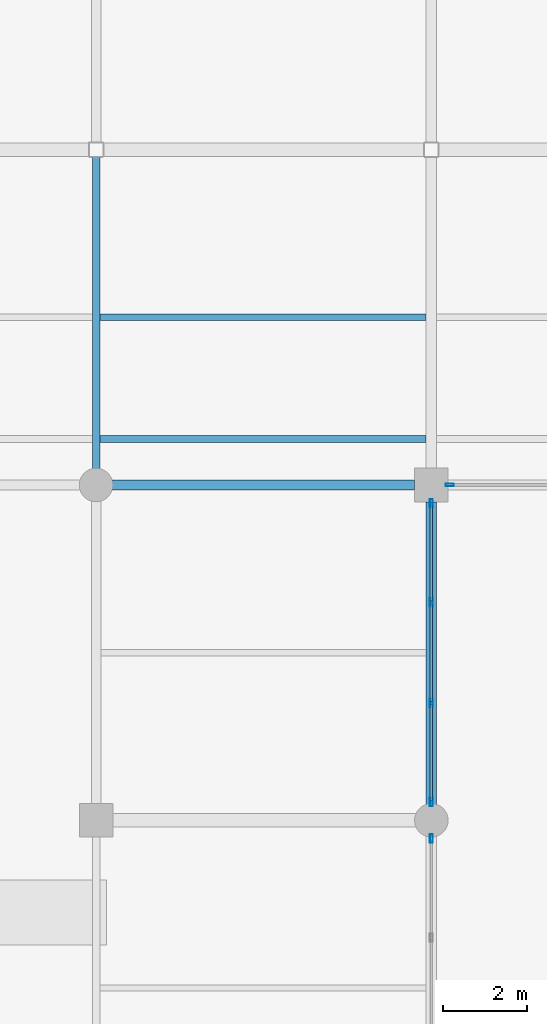
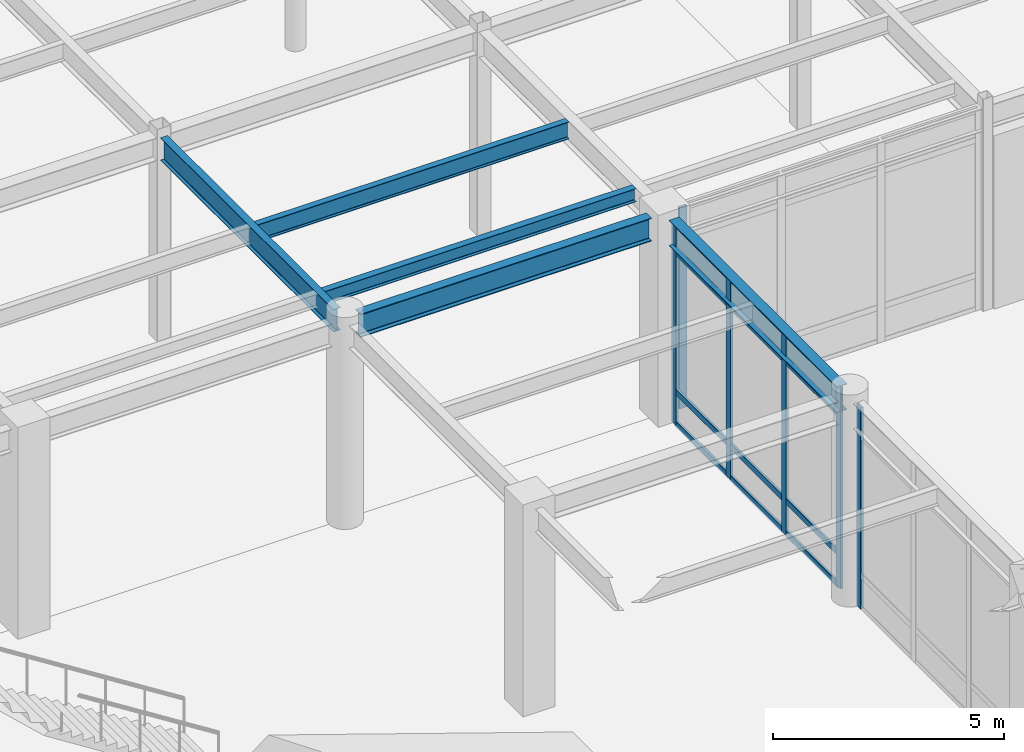
# One storey, part 70 of 128: 18 members, 5 beams, 3 elements without a shape of their own.
"""IFC4 building model written with IfcOpenShell, lengths in metres."""

import ifcopenshell
import ifcopenshell.guid

model = None  # the IFC model being written
_history = None  # IfcOwnerHistory: only IFC2X3 demands one
_inside = {}  # id of a spatial element -> (the spatial element, [elements in it])
_under = {}  # id of a project, library or spatial element -> (it, [spatial elements below it])
_declared = {}  # id of a project -> (the project, [libraries it declares])
_typed = {}  # id of a type object -> (the type object, [elements of that type])
_made_of = {}  # id of a material, layer set ... -> (it, [elements and type objects made of it])


def new_model(schema):
    """Start an empty IFC model of exactly this schema.

    Asked for "IFC4X3", IfcOpenShell would pick the latest addendum, in which some entities
    have other attributes; the version numbers below select the first issue.
    IFC2X3 requires an IfcOwnerHistory on every rooted entity: one is made here for all.
    """
    global model, _history
    if schema == "IFC4X3":
        model = ifcopenshell.file(schema_version=(4, 3, 0, 0))
    else:
        model = ifcopenshell.file(schema=schema)
    _inside.clear()
    _under.clear()
    _declared.clear()
    _typed.clear()
    _made_of.clear()
    _history = None
    if model.schema == "IFC2X3":
        org = make("IfcOrganization", Name="unknown")
        user = make(
            "IfcPersonAndOrganization",
            ThePerson=make("IfcPerson", FamilyName="unknown"),
            TheOrganization=org,
        )
        app = make(
            "IfcApplication",
            ApplicationDeveloper=org,
            Version="unknown",
            ApplicationFullName="unknown",
            ApplicationIdentifier="unknown",
        )
        _history = make(
            "IfcOwnerHistory",
            OwningUser=user,
            OwningApplication=app,
            ChangeAction="ADDED",
            CreationDate=0,
        )
    return model


def make(cls, **values):
    """One entity of the class cls with the attributes given. An attribute that is None is left unset."""
    return model.create_entity(
        cls, **{name: value for name, value in values.items() if value is not None}
    )


def rooted(cls, **values):
    """An entity with a GlobalId (a new one), such as an element, a storey or a relation."""
    return make(cls, GlobalId=ifcopenshell.guid.new(), OwnerHistory=_history, **values)


def si_unit(unit_type, name, prefix=None):
    """IfcSIUnit, for example si_unit("LENGTHUNIT", "METRE", prefix="MILLI")."""
    return make("IfcSIUnit", UnitType=unit_type, Prefix=prefix, Name=name)


def assignment(units):
    """IfcUnitAssignment: the units of a project."""
    return None if units is None else make("IfcUnitAssignment", Units=units)


def point(xyz):
    """IfcCartesianPoint."""
    return None if xyz is None else make("IfcCartesianPoint", Coordinates=xyz)


def direction(xyz):
    """IfcDirection."""
    return None if xyz is None else make("IfcDirection", DirectionRatios=xyz)


def frame(location, z_axis=None, x_axis=None):
    """IfcAxis2Placement3D, a coordinate frame: its origin and axes. An axis left out is left unset."""
    return make(
        "IfcAxis2Placement3D",
        Location=point(location),
        Axis=direction(z_axis),
        RefDirection=direction(x_axis),
    )


def frame_2d(location, x_axis=None):
    """IfcAxis2Placement2D, a coordinate frame in the plane: its origin and x axis."""
    return make(
        "IfcAxis2Placement2D", Location=point(location), RefDirection=direction(x_axis)
    )


def origin():
    """The frame at (0, 0, 0) with its axes left unset."""
    return frame((0.0, 0.0, 0.0))


def origin_2d():
    """The frame at (0, 0) in the plane with its x axis left unset."""
    return frame_2d((0.0, 0.0))


def place(relative_to, where):
    """IfcLocalPlacement: puts the frame where relative to a parent placement (None: the world)."""
    return make(
        "IfcLocalPlacement", PlacementRelTo=relative_to, RelativePlacement=where
    )


def context(
    kind, dimensions, precision=None, world=None, true_north=None, identifier=None
):
    """IfcGeometricRepresentationContext, for example the 3D "Model" context."""
    return make(
        "IfcGeometricRepresentationContext",
        ContextIdentifier=identifier,
        ContextType=kind,
        CoordinateSpaceDimension=dimensions,
        Precision=precision,
        WorldCoordinateSystem=world,
        TrueNorth=true_north,
    )


def subcontext(parent, identifier, kind, view, scale=None):
    """IfcGeometricRepresentationSubContext, for example "Body" below "Model"."""
    return make(
        "IfcGeometricRepresentationSubContext",
        ContextIdentifier=identifier,
        ContextType=kind,
        ParentContext=parent,
        TargetScale=scale,
        TargetView=view,
    )


def project(units=None, contexts=None):
    """IfcProject with its units and contexts."""
    return rooted(
        "IfcProject",
        Name="project",
        RepresentationContexts=contexts,
        UnitsInContext=assignment(units),
    )


def spatial(cls, under=None, at=None, **own):
    """A site, building, storey or space (cls), placed at a placement, below another one or the project."""
    s = rooted(cls, ObjectPlacement=at, **own)
    if under is not None:
        _under.setdefault(under.id(), (under, []))[1].append(s)
    return s


def profile(cls, at=None, kind="AREA", **sizes):
    """A parametric profile (cls). Its sizes go by their IFC names, for example OverallWidth=200.0."""
    return make(cls, ProfileType=kind, Position=at, **sizes)


def hollow_rectangle(**sizes):
    """IfcRectangleHollowProfileDef."""
    return profile("IfcRectangleHollowProfileDef", **sizes)


def i_section(**sizes):
    """IfcIShapeProfileDef."""
    return profile("IfcIShapeProfileDef", **sizes)


def extrude(swept, where, along, depth):
    """IfcExtrudedAreaSolid: the profile swept, set in the frame where, extruded along a direction by depth."""
    return make(
        "IfcExtrudedAreaSolid",
        SweptArea=swept,
        Position=where,
        ExtrudedDirection=direction(along),
        Depth=depth,
    )


def shape(context_of_items, identifier, shape_type, items):
    """IfcShapeRepresentation: the items that make up one representation, for example the "Body"."""
    return make(
        "IfcShapeRepresentation",
        ContextOfItems=context_of_items,
        RepresentationIdentifier=identifier,
        RepresentationType=shape_type,
        Items=items,
    )


def material(Name=None, Category=None):
    """IfcMaterial."""
    return make("IfcMaterial", Name=Name, Category=Category)


def material_profile(
    of_material, cross_section, Name=None, Category=None, Priority=None
):
    """IfcMaterialProfile: a cross section and its material."""
    return make(
        "IfcMaterialProfile",
        Name=Name,
        Material=of_material,
        Profile=cross_section,
        Priority=Priority,
        Category=Category,
    )


def profile_set(profiles, Name=None, composite=None):
    """IfcMaterialProfileSet."""
    return make(
        "IfcMaterialProfileSet",
        Name=Name,
        MaterialProfiles=profiles,
        CompositeProfile=composite,
    )


def made_of(thing, what):
    """Note that an element or type object is made of a material, layer set ...; save() writes the relation."""
    if what is not None:
        _made_of.setdefault(what.id(), (what, []))[1].append(thing)
    return thing


def type_object(cls, material=None, **own):
    """A type object (cls), such as IfcWallType, which elements share."""
    return made_of(rooted(cls, **own), material)


def element(
    cls,
    number,
    at=None,
    inside=None,
    cuts=None,
    type_object=None,
    material=None,
    context=None,
    identifier="Body",
    shape_type=None,
    held_by="IfcProductDefinitionShape",
    body=None,
    shapes=None,
    **own,
):
    """One element of the class cls, such as IfcWall. Its Tag is "e" and its number.

    at: its placement. inside: the storey or other place that contains it. cuts: it is an
    opening in that element (IfcRelVoidsElement). A single representation is given by context,
    identifier, shape_type and body (its items); several are given by shapes. held_by: the class
    of the entity that holds the representations. save() writes the other relations.
    """
    e = rooted(cls, Tag="e%d" % number, ObjectPlacement=at, **own)
    if body is not None:
        shapes = [shape(context, identifier, shape_type, body)]
    if shapes is not None:
        e.Representation = make(held_by, Representations=shapes)
    if inside is not None:
        _inside.setdefault(inside.id(), (inside, []))[1].append(e)
    if cuts is not None:
        rooted(
            "IfcRelVoidsElement", RelatingBuildingElement=cuts, RelatedOpeningElement=e
        )
    if type_object is not None:
        _typed.setdefault(type_object.id(), (type_object, []))[1].append(e)
    return made_of(e, material)


def aggregate(whole, parts):
    """IfcRelAggregates: a whole, such as a stair, and the parts it consists of."""
    return rooted("IfcRelAggregates", RelatingObject=whole, RelatedObjects=parts)


def save(model, path):
    """Write the relations noted so far, then the file.

    IfcRelAggregates (storeys below a building ...), IfcRelContainedInSpatialStructure (elements
    in a storey), IfcRelDefinesByType, IfcRelAssociatesMaterial and IfcRelDeclares: one each for
    every whole, place, type object, material and project.
    """
    for whole, parts in _under.values():
        aggregate(whole, parts)
    for where, things in _inside.values():
        rooted(
            "IfcRelContainedInSpatialStructure",
            RelatedElements=things,
            RelatingStructure=where,
        )
    for kind, things in _typed.values():
        rooted("IfcRelDefinesByType", RelatedObjects=things, RelatingType=kind)
    for what, things in _made_of.values():
        rooted("IfcRelAssociatesMaterial", RelatedObjects=things, RelatingMaterial=what)
    for by, libraries in _declared.values():
        rooted("IfcRelDeclares", RelatingContext=by, RelatedDefinitions=libraries)
    model.write(path)


model = new_model("IFC4")

# Units and contexts
model_context = context("Model", 3, precision=1e-05, world=origin(), true_north=direction((0.0, 1.0)))
body_context = subcontext(model_context, "Body", "Model", "MODEL_VIEW")
ifc_project = project(units=[si_unit("LENGTHUNIT", "METRE"), si_unit("AREAUNIT", "SQUARE_METRE"), si_unit("VOLUMEUNIT", "CUBIC_METRE"), si_unit("PLANEANGLEUNIT", "RADIAN"), si_unit("MASSUNIT", "GRAM", prefix="KILO")], contexts=[model_context])

# Site, building, storey
site_placement = place(None, origin())
site = spatial("IfcSite", under=ifc_project, at=site_placement, CompositionType="ELEMENT")
building_placement = place(site_placement, origin())
building = spatial("IfcBuilding", under=site, at=building_placement, Name="Solmirada Galleria", CompositionType="ELEMENT")
storey_placement = place(building_placement, origin())
storey = spatial("IfcBuildingStorey", under=building, at=storey_placement, Name="L00", CompositionType="ELEMENT", Elevation=0.0)

# Beams
ifc_material_1 = material(Name="Steel S355 / ASTM A992 Grade 50", Category="steel")
ifc_material_profile_1 = material_profile(ifc_material_1, i_section(OverallWidth=0.22900390625, OverallDepth=0.612060546875, WebThickness=0.011962890625, FlangeThickness=0.01953125, FilletRadius=0.014892578125, at=origin_2d()), Name="W24X84")
ifc_profile_set_1 = profile_set([ifc_material_profile_1], Name="Steel S355 / ASTM A992 Grade 50")
beam_type_1 = type_object("IfcBeamType", Name="BM-GIRD-W24B", PredefinedType="BEAM", material=ifc_profile_set_1)
beam_1_placement = place(storey_placement, frame((104.3359375, 72.0, 5.053955078125), z_axis=(1.0, 0.0, 0.0), x_axis=(0.0, 1.0, 0.0)))
element("IfcBeam", 1, at=beam_1_placement, inside=storey, type_object=beam_type_1, Name="Primary beam L01 X(104..112, 72)", PredefinedType="BEAM", context=body_context, shape_type="SweptSolid", body=[
    extrude(i_section(OverallWidth=0.22900390625, OverallDepth=0.612060546875, WebThickness=0.011962890625, FlangeThickness=0.01953125, FilletRadius=0.014892578125, at=origin_2d()), origin(), (0.0, 0.0, 1.0), 7.26416015625),
])
ifc_material_profile_2 = material_profile(ifc_material_1, i_section(OverallWidth=0.177978515625, OverallDepth=0.59912109375, WebThickness=0.010009765625, FlangeThickness=0.0126953125, FilletRadius=0.013916015625, at=origin_2d()), Name="W24X55")
ifc_profile_set_2 = profile_set([ifc_material_profile_2], Name="Steel S355 / ASTM A992 Grade 50")
beam_type_2 = type_object("IfcBeamType", Name="BM-GIRD-W24D", PredefinedType="BEAM", material=ifc_profile_set_2)
beam_2_placement = place(storey_placement, frame((104.0, 72.3359375, 5.060546875), z_axis=(0.0, 1.0, 0.0), x_axis=(-1.0, 0.0, 0.0)))
element("IfcBeam", 2, at=beam_2_placement, inside=storey, type_object=beam_type_2, Name="Primary girder L01 Y(104, 72..80)", PredefinedType="BEAM", context=body_context, shape_type="SweptSolid", body=[
    extrude(i_section(OverallWidth=0.177978515625, OverallDepth=0.59912109375, WebThickness=0.010009765625, FlangeThickness=0.0126953125, FilletRadius=0.013916015625, at=origin_2d()), origin(), (0.0, 0.0, 1.0), 7.486083984375),
])
ifc_material_profile_3 = material_profile(ifc_material_1, i_section(OverallWidth=0.25390625, OverallDepth=0.68408203125, WebThickness=0.012451171875, FlangeThickness=0.018798828125, FilletRadius=0.01708984375, at=origin_2d()), Name="W27X94")
ifc_profile_set_3 = profile_set([ifc_material_profile_3], Name="Steel S355 / ASTM A992 Grade 50")
beam_type_3 = type_object("IfcBeamType", Name="BM-GIRD-W27B", PredefinedType="BEAM", material=ifc_profile_set_3)
beam_3_placement = place(storey_placement, frame((112.0, 64.3359375, 5.0380859375), z_axis=(0.0, 1.0, 0.0), x_axis=(-1.0, 0.0, 0.0)))
element("IfcBeam", 3, at=beam_3_placement, inside=storey, type_object=beam_type_3, Name="Primary girder L01 Y(112, 64..72)", PredefinedType="BEAM", context=body_context, shape_type="SweptSolid", body=[
    extrude(i_section(OverallWidth=0.25390625, OverallDepth=0.68408203125, WebThickness=0.012451171875, FlangeThickness=0.018798828125, FilletRadius=0.01708984375, at=origin_2d()), origin(), (0.0, 0.0, 1.0), 7.26416015625),
])
ifc_material_profile_4 = material_profile(ifc_material_1, i_section(OverallWidth=0.1708984375, OverallDepth=0.35205078125, WebThickness=0.0068359375, FlangeThickness=0.009765625, FilletRadius=0.010986328125, at=origin_2d()), Name="W14X30")
ifc_profile_set_4 = profile_set([ifc_material_profile_4], Name="Steel S355 / ASTM A992 Grade 50")
beam_type_4 = type_object("IfcBeamType", Name="BM-JST-W14B", PredefinedType="JOIST", material=ifc_profile_set_4)
beam_4_placement = place(storey_placement, frame((104.089111328125, 73.10009765625, 5.18408203125), z_axis=(1.0, 0.0, 0.0), x_axis=(0.0, 1.0, 0.0)))
element("IfcBeam", 4, at=beam_4_placement, inside=storey, type_object=beam_type_4, Name="Terrace deck joist L01-TERR-NE X=104..112 (1)", PredefinedType="JOIST", context=body_context, shape_type="SweptSolid", body=[
    extrude(i_section(OverallWidth=0.1708984375, OverallDepth=0.35205078125, WebThickness=0.0068359375, FlangeThickness=0.009765625, FilletRadius=0.010986328125, at=origin_2d()), origin(), (0.0, 0.0, 1.0), 7.783935546875),
])
ifc_material_profile_5 = material_profile(ifc_material_1, i_section(OverallWidth=0.153076171875, OverallDepth=0.455078125, WebThickness=0.008056640625, FlangeThickness=0.01318359375, FilletRadius=0.011962890625, at=origin_2d()), Name="W18X40")
ifc_profile_set_5 = profile_set([ifc_material_profile_5], Name="Steel S355 / ASTM A992 Grade 50")
beam_type_5 = type_object("IfcBeamType", Name="BM-JST-W18A", PredefinedType="JOIST", material=ifc_profile_set_5)
beam_5_placement = place(storey_placement, frame((104.089111328125, 76.0, 5.132568359375), z_axis=(1.0, 0.0, 0.0), x_axis=(0.0, 1.0, 0.0)))
element("IfcBeam", 5, at=beam_5_placement, inside=storey, type_object=beam_type_5, Name="Composite floor joist L01 (104..112, 76.0)", PredefinedType="JOIST", context=body_context, shape_type="SweptSolid", body=[
    extrude(i_section(OverallWidth=0.153076171875, OverallDepth=0.455078125, WebThickness=0.008056640625, FlangeThickness=0.01318359375, FilletRadius=0.011962890625, at=origin_2d()), origin(), (0.0, 0.0, 1.0), 7.783935546875),
])

# Curtain wall, member
ifc_material_2 = material(Name="Impact-resistant low-E double glazing", Category="glass")
curtain_wall_type_1 = type_object("IfcCurtainWallType", Name="CW-FZ4-L00-B3-L075", PredefinedType="NOTDEFINED", material=ifc_material_2)
curtain_wall_1_placement = place(storey_placement, origin())
curtain_wall_1 = element("IfcCurtainWall", 6, at=curtain_wall_1_placement, inside=storey, type_object=curtain_wall_type_1, Name="Terrace and arcade storefront CW-L00-015", PredefinedType="NOTDEFINED")
ifc_material_3 = material(Name="Anodised aluminium framing", Category="aluminium")
ifc_material_profile_6 = material_profile(ifc_material_3, hollow_rectangle(XDim=0.070068359375, YDim=0.199951171875, WallThickness=0.004150390625, InnerFilletRadius=0.004150390625, OuterFilletRadius=0.00830078125, at=origin_2d()), Name="ALU-MULL-200X70")
ifc_profile_set_6 = profile_set([ifc_material_profile_6], Name="Anodised aluminium framing")
member_type_1 = type_object("IfcMemberType", Name="CW-MULL-200", PredefinedType="MULLION", material=ifc_profile_set_6)
member_1_placement = place(storey_placement, frame((112.43701171875, 72.0, 0.0), z_axis=(0.0, 0.0, 1.0), x_axis=(0.0, -1.0, 0.0)))
member_1 = element("IfcMember", 7, at=member_1_placement, type_object=member_type_1, Name="CW02 mullion 4", PredefinedType="MULLION", context=body_context, shape_type="SweptSolid", body=[
    extrude(hollow_rectangle(XDim=0.070068359375, YDim=0.199951171875, WallThickness=0.004150390625, InnerFilletRadius=0.004150390625, OuterFilletRadius=0.00830078125, at=origin_2d()), origin(), (0.0, 0.0, 1.0), 5.320068359375),
])
aggregate(curtain_wall_1, [member_1])

# Curtain wall, members
curtain_wall_type_2 = type_object("IfcCurtainWallType", Name="CW-FZ3-L00-B3-L072", PredefinedType="NOTDEFINED", material=ifc_material_2)
curtain_wall_2_placement = place(storey_placement, origin())
curtain_wall_2 = element("IfcCurtainWall", 8, at=curtain_wall_2_placement, inside=storey, type_object=curtain_wall_type_2, Name="Terrace and arcade storefront CW-L00-016", PredefinedType="NOTDEFINED")
member_2_placement = place(storey_placement, frame((112.0, 71.56298828125, 0.0), z_axis=(0.0, 0.0, 1.0), x_axis=(1.0, 0.0, 0.0)))
member_2 = element("IfcMember", 9, at=member_2_placement, type_object=member_type_1, Name="CW01 mullion 1", PredefinedType="MULLION", context=body_context, shape_type="SweptSolid", body=[
    extrude(hollow_rectangle(XDim=0.070068359375, YDim=0.199951171875, WallThickness=0.004150390625, InnerFilletRadius=0.004150390625, OuterFilletRadius=0.00830078125, at=origin_2d()), origin(), (0.0, 0.0, 1.0), 5.320068359375),
])
member_3_placement = place(storey_placement, frame((112.0, 69.19921875, 0.0), z_axis=(0.0, 0.0, 1.0), x_axis=(1.0, 0.0, 0.0)))
member_3 = element("IfcMember", 10, at=member_3_placement, type_object=member_type_1, Name="CW01 mullion 2", PredefinedType="MULLION", context=body_context, shape_type="SweptSolid", body=[
    extrude(hollow_rectangle(XDim=0.070068359375, YDim=0.199951171875, WallThickness=0.004150390625, InnerFilletRadius=0.004150390625, OuterFilletRadius=0.00830078125, at=origin_2d()), origin(), (0.0, 0.0, 1.0), 5.320068359375),
])
member_4_placement = place(storey_placement, frame((112.0, 66.80078125, 0.0), z_axis=(0.0, 0.0, 1.0), x_axis=(1.0, 0.0, 0.0)))
member_4 = element("IfcMember", 11, at=member_4_placement, type_object=member_type_1, Name="CW01 mullion 3", PredefinedType="MULLION", context=body_context, shape_type="SweptSolid", body=[
    extrude(hollow_rectangle(XDim=0.070068359375, YDim=0.199951171875, WallThickness=0.004150390625, InnerFilletRadius=0.004150390625, OuterFilletRadius=0.00830078125, at=origin_2d()), origin(), (0.0, 0.0, 1.0), 5.320068359375),
])
member_5_placement = place(storey_placement, frame((112.0, 64.43701171875, 0.0), z_axis=(0.0, 0.0, 1.0), x_axis=(1.0, 0.0, 0.0)))
member_5 = element("IfcMember", 12, at=member_5_placement, type_object=member_type_1, Name="CW01 mullion 4", PredefinedType="MULLION", context=body_context, shape_type="SweptSolid", body=[
    extrude(hollow_rectangle(XDim=0.070068359375, YDim=0.199951171875, WallThickness=0.004150390625, InnerFilletRadius=0.004150390625, OuterFilletRadius=0.00830078125, at=origin_2d()), origin(), (0.0, 0.0, 1.0), 5.320068359375),
])

# Curtain wall, member
curtain_wall_3_placement = place(storey_placement, origin())
curtain_wall_3 = element("IfcCurtainWall", 13, at=curtain_wall_3_placement, inside=storey, type_object=curtain_wall_type_2, Name="Terrace and arcade storefront CW-L00-017", PredefinedType="NOTDEFINED")
member_6_placement = place(storey_placement, frame((112.0, 63.56298828125, 0.0), z_axis=(0.0, 0.0, 1.0), x_axis=(1.0, 0.0, 0.0)))
member_6 = element("IfcMember", 14, at=member_6_placement, type_object=member_type_1, Name="CW01 mullion 1", PredefinedType="MULLION", context=body_context, shape_type="SweptSolid", body=[
    extrude(hollow_rectangle(XDim=0.070068359375, YDim=0.199951171875, WallThickness=0.004150390625, InnerFilletRadius=0.004150390625, OuterFilletRadius=0.00830078125, at=origin_2d()), origin(), (0.0, 0.0, 1.0), 5.320068359375),
])
aggregate(curtain_wall_3, [member_6])

# Member
ifc_material_profile_7 = material_profile(ifc_material_3, hollow_rectangle(XDim=0.06494140625, YDim=0.159912109375, WallThickness=0.00390625, InnerFilletRadius=0.00390625, OuterFilletRadius=0.007568359375, at=origin_2d()), Name="ALU-TRAN-160X65")
ifc_profile_set_7 = profile_set([ifc_material_profile_7], Name="Anodised aluminium framing")
member_type_2 = type_object("IfcMemberType", Name="CW-TRAN-160", PredefinedType="USERDEFINED", material=ifc_profile_set_7)
member_7_placement = place(storey_placement, frame((112.0, 71.528076171875, 0.032470703125), z_axis=(0.0, -1.0, 0.0), x_axis=(1.0, 0.0, 0.0)))
member_7 = element("IfcMember", 15, at=member_7_placement, type_object=member_type_2, Name="CW01 transom 1.1", ObjectType="TRANSOM", PredefinedType="USERDEFINED", context=body_context, shape_type="SweptSolid", body=[
    extrude(hollow_rectangle(XDim=0.06494140625, YDim=0.159912109375, WallThickness=0.00390625, InnerFilletRadius=0.00390625, OuterFilletRadius=0.007568359375, at=origin_2d()), origin(), (0.0, 0.0, 1.0), 2.293701171875),
])

member_8_placement = place(storey_placement, frame((112.0, 71.528076171875, 0.8798828125), z_axis=(0.0, -1.0, 0.0), x_axis=(1.0, 0.0, 0.0)))
member_8 = element("IfcMember", 16, at=member_8_placement, type_object=member_type_2, Name="CW01 transom 1.2", ObjectType="TRANSOM", PredefinedType="USERDEFINED", context=body_context, shape_type="SweptSolid", body=[
    extrude(hollow_rectangle(XDim=0.06494140625, YDim=0.159912109375, WallThickness=0.00390625, InnerFilletRadius=0.00390625, OuterFilletRadius=0.007568359375, at=origin_2d()), origin(), (0.0, 0.0, 1.0), 2.293701171875),
])

member_9_placement = place(storey_placement, frame((112.0, 71.528076171875, 4.56005859375), z_axis=(0.0, -1.0, 0.0), x_axis=(1.0, 0.0, 0.0)))
member_9 = element("IfcMember", 17, at=member_9_placement, type_object=member_type_2, Name="CW01 transom 1.3", ObjectType="TRANSOM", PredefinedType="USERDEFINED", context=body_context, shape_type="SweptSolid", body=[
    extrude(hollow_rectangle(XDim=0.06494140625, YDim=0.159912109375, WallThickness=0.00390625, InnerFilletRadius=0.00390625, OuterFilletRadius=0.007568359375, at=origin_2d()), origin(), (0.0, 0.0, 1.0), 2.293701171875),
])

member_10_placement = place(storey_placement, frame((112.0, 71.528076171875, 5.28759765625), z_axis=(0.0, -1.0, 0.0), x_axis=(1.0, 0.0, 0.0)))
member_10 = element("IfcMember", 18, at=member_10_placement, type_object=member_type_2, Name="CW01 transom 1.4", ObjectType="TRANSOM", PredefinedType="USERDEFINED", context=body_context, shape_type="SweptSolid", body=[
    extrude(hollow_rectangle(XDim=0.06494140625, YDim=0.159912109375, WallThickness=0.00390625, InnerFilletRadius=0.00390625, OuterFilletRadius=0.007568359375, at=origin_2d()), origin(), (0.0, 0.0, 1.0), 2.293701171875),
])

member_11_placement = place(storey_placement, frame((112.0, 69.164306640625, 0.032470703125), z_axis=(0.0, -1.0, 0.0), x_axis=(1.0, 0.0, 0.0)))
member_11 = element("IfcMember", 19, at=member_11_placement, type_object=member_type_2, Name="CW01 transom 2.1", ObjectType="TRANSOM", PredefinedType="USERDEFINED", context=body_context, shape_type="SweptSolid", body=[
    extrude(hollow_rectangle(XDim=0.06494140625, YDim=0.159912109375, WallThickness=0.00390625, InnerFilletRadius=0.00390625, OuterFilletRadius=0.007568359375, at=origin_2d()), origin(), (0.0, 0.0, 1.0), 2.32861328125),
])

member_12_placement = place(storey_placement, frame((112.0, 69.164306640625, 0.8798828125), z_axis=(0.0, -1.0, 0.0), x_axis=(1.0, 0.0, 0.0)))
member_12 = element("IfcMember", 20, at=member_12_placement, type_object=member_type_2, Name="CW01 transom 2.2", ObjectType="TRANSOM", PredefinedType="USERDEFINED", context=body_context, shape_type="SweptSolid", body=[
    extrude(hollow_rectangle(XDim=0.06494140625, YDim=0.159912109375, WallThickness=0.00390625, InnerFilletRadius=0.00390625, OuterFilletRadius=0.007568359375, at=origin_2d()), origin(), (0.0, 0.0, 1.0), 2.32861328125),
])

member_13_placement = place(storey_placement, frame((112.0, 69.164306640625, 4.56005859375), z_axis=(0.0, -1.0, 0.0), x_axis=(1.0, 0.0, 0.0)))
member_13 = element("IfcMember", 21, at=member_13_placement, type_object=member_type_2, Name="CW01 transom 2.3", ObjectType="TRANSOM", PredefinedType="USERDEFINED", context=body_context, shape_type="SweptSolid", body=[
    extrude(hollow_rectangle(XDim=0.06494140625, YDim=0.159912109375, WallThickness=0.00390625, InnerFilletRadius=0.00390625, OuterFilletRadius=0.007568359375, at=origin_2d()), origin(), (0.0, 0.0, 1.0), 2.32861328125),
])

member_14_placement = place(storey_placement, frame((112.0, 69.164306640625, 5.28759765625), z_axis=(0.0, -1.0, 0.0), x_axis=(1.0, 0.0, 0.0)))
member_14 = element("IfcMember", 22, at=member_14_placement, type_object=member_type_2, Name="CW01 transom 2.4", ObjectType="TRANSOM", PredefinedType="USERDEFINED", context=body_context, shape_type="SweptSolid", body=[
    extrude(hollow_rectangle(XDim=0.06494140625, YDim=0.159912109375, WallThickness=0.00390625, InnerFilletRadius=0.00390625, OuterFilletRadius=0.007568359375, at=origin_2d()), origin(), (0.0, 0.0, 1.0), 2.32861328125),
])

member_15_placement = place(storey_placement, frame((112.0, 66.765625, 0.032470703125), z_axis=(0.0, -1.0, 0.0), x_axis=(1.0, 0.0, 0.0)))
member_15 = element("IfcMember", 23, at=member_15_placement, type_object=member_type_2, Name="CW01 transom 3.1", ObjectType="TRANSOM", PredefinedType="USERDEFINED", context=body_context, shape_type="SweptSolid", body=[
    extrude(hollow_rectangle(XDim=0.06494140625, YDim=0.159912109375, WallThickness=0.00390625, InnerFilletRadius=0.00390625, OuterFilletRadius=0.007568359375, at=origin_2d()), origin(), (0.0, 0.0, 1.0), 2.293701171875),
])

member_16_placement = place(storey_placement, frame((112.0, 66.765625, 0.8798828125), z_axis=(0.0, -1.0, 0.0), x_axis=(1.0, 0.0, 0.0)))
member_16 = element("IfcMember", 24, at=member_16_placement, type_object=member_type_2, Name="CW01 transom 3.2", ObjectType="TRANSOM", PredefinedType="USERDEFINED", context=body_context, shape_type="SweptSolid", body=[
    extrude(hollow_rectangle(XDim=0.06494140625, YDim=0.159912109375, WallThickness=0.00390625, InnerFilletRadius=0.00390625, OuterFilletRadius=0.007568359375, at=origin_2d()), origin(), (0.0, 0.0, 1.0), 2.293701171875),
])

member_17_placement = place(storey_placement, frame((112.0, 66.765625, 4.56005859375), z_axis=(0.0, -1.0, 0.0), x_axis=(1.0, 0.0, 0.0)))
member_17 = element("IfcMember", 25, at=member_17_placement, type_object=member_type_2, Name="CW01 transom 3.3", ObjectType="TRANSOM", PredefinedType="USERDEFINED", context=body_context, shape_type="SweptSolid", body=[
    extrude(hollow_rectangle(XDim=0.06494140625, YDim=0.159912109375, WallThickness=0.00390625, InnerFilletRadius=0.00390625, OuterFilletRadius=0.007568359375, at=origin_2d()), origin(), (0.0, 0.0, 1.0), 2.293701171875),
])

member_18_placement = place(storey_placement, frame((112.0, 66.765625, 5.28759765625), z_axis=(0.0, -1.0, 0.0), x_axis=(1.0, 0.0, 0.0)))
member_18 = element("IfcMember", 26, at=member_18_placement, type_object=member_type_2, Name="CW01 transom 3.4", ObjectType="TRANSOM", PredefinedType="USERDEFINED", context=body_context, shape_type="SweptSolid", body=[
    extrude(hollow_rectangle(XDim=0.06494140625, YDim=0.159912109375, WallThickness=0.00390625, InnerFilletRadius=0.00390625, OuterFilletRadius=0.007568359375, at=origin_2d()), origin(), (0.0, 0.0, 1.0), 2.293701171875),
])

aggregate(curtain_wall_2, [member_2, member_3, member_4, member_5, member_7, member_8, member_9, member_10, member_11, member_12, member_13, member_14, member_15, member_16, member_17, member_18])

save(model, "model.ifc")
